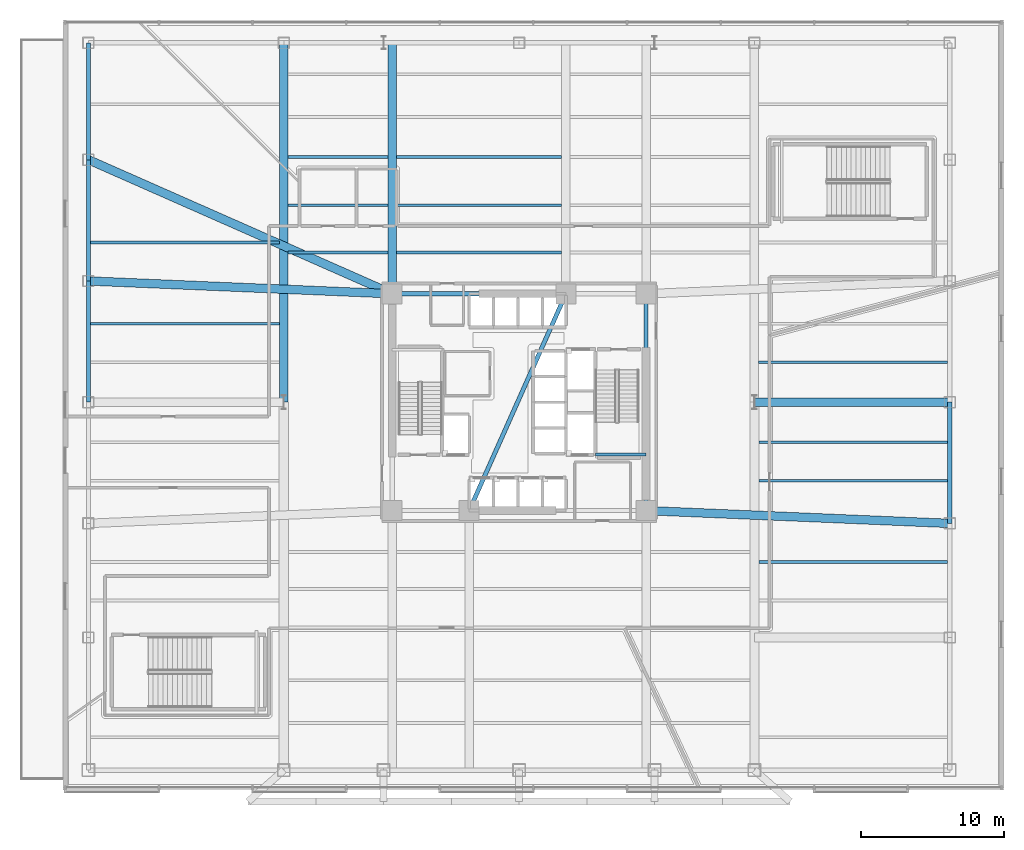
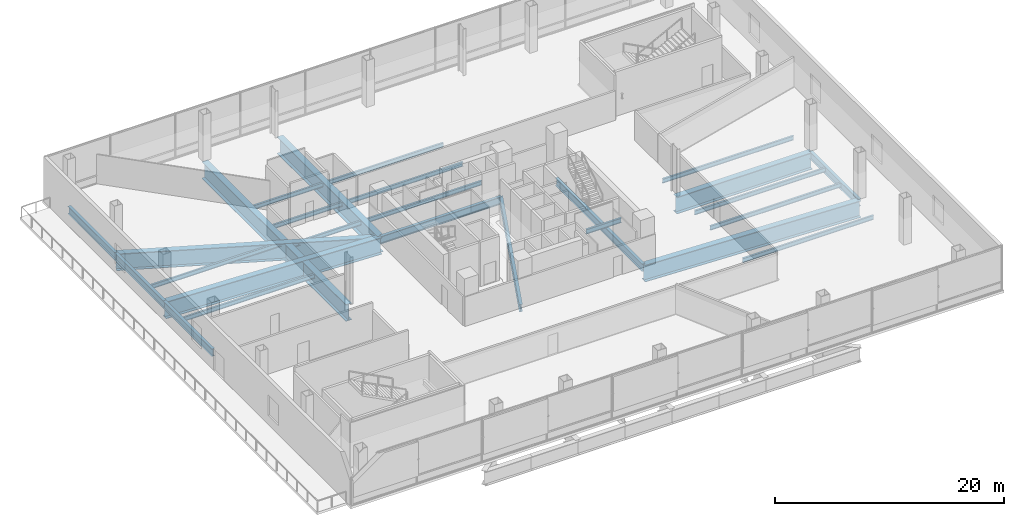
# One storey, part 4 of 20: 26 beams.
"""IFC4 building model written with IfcOpenShell, lengths in metres."""

import ifcopenshell
import ifcopenshell.guid

model = None  # the IFC model being written
_history = None  # IfcOwnerHistory: only IFC2X3 demands one
_inside = {}  # id of a spatial element -> (the spatial element, [elements in it])
_under = {}  # id of a project, library or spatial element -> (it, [spatial elements below it])
_declared = {}  # id of a project -> (the project, [libraries it declares])
_typed = {}  # id of a type object -> (the type object, [elements of that type])
_made_of = {}  # id of a material, layer set ... -> (it, [elements and type objects made of it])


def new_model(schema):
    """Start an empty IFC model of exactly this schema.

    Asked for "IFC4X3", IfcOpenShell would pick the latest addendum, in which some entities
    have other attributes; the version numbers below select the first issue.
    IFC2X3 requires an IfcOwnerHistory on every rooted entity: one is made here for all.
    """
    global model, _history
    if schema == "IFC4X3":
        model = ifcopenshell.file(schema_version=(4, 3, 0, 0))
    else:
        model = ifcopenshell.file(schema=schema)
    _inside.clear()
    _under.clear()
    _declared.clear()
    _typed.clear()
    _made_of.clear()
    _history = None
    if model.schema == "IFC2X3":
        org = make("IfcOrganization", Name="unknown")
        user = make(
            "IfcPersonAndOrganization",
            ThePerson=make("IfcPerson", FamilyName="unknown"),
            TheOrganization=org,
        )
        app = make(
            "IfcApplication",
            ApplicationDeveloper=org,
            Version="unknown",
            ApplicationFullName="unknown",
            ApplicationIdentifier="unknown",
        )
        _history = make(
            "IfcOwnerHistory",
            OwningUser=user,
            OwningApplication=app,
            ChangeAction="ADDED",
            CreationDate=0,
        )
    return model


def make(cls, **values):
    """One entity of the class cls with the attributes given. An attribute that is None is left unset."""
    return model.create_entity(
        cls, **{name: value for name, value in values.items() if value is not None}
    )


def rooted(cls, **values):
    """An entity with a GlobalId (a new one), such as an element, a storey or a relation."""
    return make(cls, GlobalId=ifcopenshell.guid.new(), OwnerHistory=_history, **values)


def si_unit(unit_type, name, prefix=None):
    """IfcSIUnit, for example si_unit("LENGTHUNIT", "METRE", prefix="MILLI")."""
    return make("IfcSIUnit", UnitType=unit_type, Prefix=prefix, Name=name)


def assignment(units):
    """IfcUnitAssignment: the units of a project."""
    return None if units is None else make("IfcUnitAssignment", Units=units)


def point(xyz):
    """IfcCartesianPoint."""
    return None if xyz is None else make("IfcCartesianPoint", Coordinates=xyz)


def direction(xyz):
    """IfcDirection."""
    return None if xyz is None else make("IfcDirection", DirectionRatios=xyz)


def frame(location, z_axis=None, x_axis=None):
    """IfcAxis2Placement3D, a coordinate frame: its origin and axes. An axis left out is left unset."""
    return make(
        "IfcAxis2Placement3D",
        Location=point(location),
        Axis=direction(z_axis),
        RefDirection=direction(x_axis),
    )


def frame_2d(location, x_axis=None):
    """IfcAxis2Placement2D, a coordinate frame in the plane: its origin and x axis."""
    return make(
        "IfcAxis2Placement2D", Location=point(location), RefDirection=direction(x_axis)
    )


def origin():
    """The frame at (0, 0, 0) with its axes left unset."""
    return frame((0.0, 0.0, 0.0))


def origin_2d():
    """The frame at (0, 0) in the plane with its x axis left unset."""
    return frame_2d((0.0, 0.0))


def place(relative_to, where):
    """IfcLocalPlacement: puts the frame where relative to a parent placement (None: the world)."""
    return make(
        "IfcLocalPlacement", PlacementRelTo=relative_to, RelativePlacement=where
    )


def context(
    kind, dimensions, precision=None, world=None, true_north=None, identifier=None
):
    """IfcGeometricRepresentationContext, for example the 3D "Model" context."""
    return make(
        "IfcGeometricRepresentationContext",
        ContextIdentifier=identifier,
        ContextType=kind,
        CoordinateSpaceDimension=dimensions,
        Precision=precision,
        WorldCoordinateSystem=world,
        TrueNorth=true_north,
    )


def subcontext(parent, identifier, kind, view, scale=None):
    """IfcGeometricRepresentationSubContext, for example "Body" below "Model"."""
    return make(
        "IfcGeometricRepresentationSubContext",
        ContextIdentifier=identifier,
        ContextType=kind,
        ParentContext=parent,
        TargetScale=scale,
        TargetView=view,
    )


def project(units=None, contexts=None):
    """IfcProject with its units and contexts."""
    return rooted(
        "IfcProject",
        Name="project",
        RepresentationContexts=contexts,
        UnitsInContext=assignment(units),
    )


def spatial(cls, under=None, at=None, **own):
    """A site, building, storey or space (cls), placed at a placement, below another one or the project."""
    s = rooted(cls, ObjectPlacement=at, **own)
    if under is not None:
        _under.setdefault(under.id(), (under, []))[1].append(s)
    return s


def profile(cls, at=None, kind="AREA", **sizes):
    """A parametric profile (cls). Its sizes go by their IFC names, for example OverallWidth=200.0."""
    return make(cls, ProfileType=kind, Position=at, **sizes)


def i_section(**sizes):
    """IfcIShapeProfileDef."""
    return profile("IfcIShapeProfileDef", **sizes)


def extrude(swept, where, along, depth):
    """IfcExtrudedAreaSolid: the profile swept, set in the frame where, extruded along a direction by depth."""
    return make(
        "IfcExtrudedAreaSolid",
        SweptArea=swept,
        Position=where,
        ExtrudedDirection=direction(along),
        Depth=depth,
    )


def shape(context_of_items, identifier, shape_type, items):
    """IfcShapeRepresentation: the items that make up one representation, for example the "Body"."""
    return make(
        "IfcShapeRepresentation",
        ContextOfItems=context_of_items,
        RepresentationIdentifier=identifier,
        RepresentationType=shape_type,
        Items=items,
    )


def material(Name=None, Category=None):
    """IfcMaterial."""
    return make("IfcMaterial", Name=Name, Category=Category)


def material_profile(
    of_material, cross_section, Name=None, Category=None, Priority=None
):
    """IfcMaterialProfile: a cross section and its material."""
    return make(
        "IfcMaterialProfile",
        Name=Name,
        Material=of_material,
        Profile=cross_section,
        Priority=Priority,
        Category=Category,
    )


def profile_set(profiles, Name=None, composite=None):
    """IfcMaterialProfileSet."""
    return make(
        "IfcMaterialProfileSet",
        Name=Name,
        MaterialProfiles=profiles,
        CompositeProfile=composite,
    )


def made_of(thing, what):
    """Note that an element or type object is made of a material, layer set ...; save() writes the relation."""
    if what is not None:
        _made_of.setdefault(what.id(), (what, []))[1].append(thing)
    return thing


def type_object(cls, material=None, **own):
    """A type object (cls), such as IfcWallType, which elements share."""
    return made_of(rooted(cls, **own), material)


def element(
    cls,
    number,
    at=None,
    inside=None,
    cuts=None,
    type_object=None,
    material=None,
    context=None,
    identifier="Body",
    shape_type=None,
    held_by="IfcProductDefinitionShape",
    body=None,
    shapes=None,
    **own,
):
    """One element of the class cls, such as IfcWall. Its Tag is "e" and its number.

    at: its placement. inside: the storey or other place that contains it. cuts: it is an
    opening in that element (IfcRelVoidsElement). A single representation is given by context,
    identifier, shape_type and body (its items); several are given by shapes. held_by: the class
    of the entity that holds the representations. save() writes the other relations.
    """
    e = rooted(cls, Tag="e%d" % number, ObjectPlacement=at, **own)
    if body is not None:
        shapes = [shape(context, identifier, shape_type, body)]
    if shapes is not None:
        e.Representation = make(held_by, Representations=shapes)
    if inside is not None:
        _inside.setdefault(inside.id(), (inside, []))[1].append(e)
    if cuts is not None:
        rooted(
            "IfcRelVoidsElement", RelatingBuildingElement=cuts, RelatedOpeningElement=e
        )
    if type_object is not None:
        _typed.setdefault(type_object.id(), (type_object, []))[1].append(e)
    return made_of(e, material)


def aggregate(whole, parts):
    """IfcRelAggregates: a whole, such as a stair, and the parts it consists of."""
    return rooted("IfcRelAggregates", RelatingObject=whole, RelatedObjects=parts)


def save(model, path):
    """Write the relations noted so far, then the file.

    IfcRelAggregates (storeys below a building ...), IfcRelContainedInSpatialStructure (elements
    in a storey), IfcRelDefinesByType, IfcRelAssociatesMaterial and IfcRelDeclares: one each for
    every whole, place, type object, material and project.
    """
    for whole, parts in _under.values():
        aggregate(whole, parts)
    for where, things in _inside.values():
        rooted(
            "IfcRelContainedInSpatialStructure",
            RelatedElements=things,
            RelatingStructure=where,
        )
    for kind, things in _typed.values():
        rooted("IfcRelDefinesByType", RelatedObjects=things, RelatingType=kind)
    for what, things in _made_of.values():
        rooted("IfcRelAssociatesMaterial", RelatedObjects=things, RelatingMaterial=what)
    for by, libraries in _declared.values():
        rooted("IfcRelDeclares", RelatingContext=by, RelatedDefinitions=libraries)
    model.write(path)


model = new_model("IFC4")

# Units and contexts
model_context = context("Model", 3, precision=1e-05, world=origin(), true_north=direction((0.0, 1.0)))
body_context = subcontext(model_context, "Body", "Model", "MODEL_VIEW")
ifc_project = project(units=[si_unit("LENGTHUNIT", "METRE"), si_unit("AREAUNIT", "SQUARE_METRE"), si_unit("VOLUMEUNIT", "CUBIC_METRE"), si_unit("PLANEANGLEUNIT", "RADIAN"), si_unit("MASSUNIT", "GRAM", prefix="KILO")], contexts=[model_context])

# Site, building, storey
site_placement = place(None, origin())
site = spatial("IfcSite", under=ifc_project, at=site_placement, CompositionType="ELEMENT")
building_placement = place(site_placement, origin())
building = spatial("IfcBuilding", under=site, at=building_placement, Name="Tharavind Bronze Gate", CompositionType="ELEMENT")
storey_placement = place(building_placement, frame((0.0, 0.0, 16.5)))
storey = spatial("IfcBuildingStorey", under=building, at=storey_placement, Name="L03", CompositionType="ELEMENT", Elevation=16.5)

# Beams
ifc_material_1 = material(Name="Steel S355", Category="steel")
ifc_material_profile_1 = material_profile(ifc_material_1, i_section(OverallWidth=0.199951171875, OverallDepth=0.5, WebThickness=0.01025390625, FlangeThickness=0.01611328125, at=origin_2d()), Name="IPE500")
ifc_profile_set_1 = profile_set([ifc_material_profile_1], Name="Steel S355")
beam_type_1 = type_object("IfcBeamType", Name="PRIMARY GIRDER IPE500", PredefinedType="USERDEFINED", material=ifc_profile_set_1)
beam_1_placement = place(storey_placement, frame((5.35009765625, -3.679931640625, 2.050048828125), z_axis=(1.0, 0.0, 0.0), x_axis=(0.0, 1.0, 0.0)))
element("IfcBeam", 1, at=beam_1_placement, inside=storey, type_object=beam_type_1, Name="L03 primary girder ipe500 BM-LD-ST2-L03-1", ObjectType="GIRDER", PredefinedType="USERDEFINED", context=body_context, shape_type="SweptSolid", body=[
    extrude(i_section(OverallWidth=0.199951171875, OverallDepth=0.5, WebThickness=0.01025390625, FlangeThickness=0.01611328125, at=origin_2d()), origin(), (0.0, 0.0, 1.0), 3.5498046875),
])
ifc_material_profile_2 = material_profile(ifc_material_1, i_section(OverallWidth=0.300048828125, OverallDepth=0.800048828125, WebThickness=0.017578125, FlangeThickness=0.032958984375, at=origin_2d()), Name="HE800B")
ifc_profile_set_2 = profile_set([ifc_material_profile_2], Name="Steel S355")
beam_type_2 = type_object("IfcBeamType", Name="RING GIRDER HE800B", PredefinedType="USERDEFINED", material=ifc_profile_set_2)
beam_2_placement = place(storey_placement, frame((8.89990234375, -7.60009765625, -0.659912109375), z_axis=(0.0, 1.0, 0.0), x_axis=(-1.0, 0.0, 0.0)))
element("IfcBeam", 2, at=beam_2_placement, inside=storey, type_object=beam_type_2, Name="L03 ring girder he800b BM-L03-CR3", ObjectType="GIRDER", PredefinedType="USERDEFINED", context=body_context, shape_type="SweptSolid", body=[
    extrude(i_section(OverallWidth=0.300048828125, OverallDepth=0.800048828125, WebThickness=0.017578125, FlangeThickness=0.032958984375, at=origin_2d()), origin(), (0.0, 0.0, 1.0), 15.2001953125),
])
beam_3_placement = place(storey_placement, frame((3.280029296875, 7.60009765625, -0.659912109375), z_axis=(-1.0, 0.0, 0.0), x_axis=(0.0, -1.0, 0.0)))
element("IfcBeam", 3, at=beam_3_placement, inside=storey, type_object=beam_type_2, Name="L03 ring girder he800b BM-L03-CR5", ObjectType="GIRDER", PredefinedType="USERDEFINED", context=body_context, shape_type="SweptSolid", body=[
    extrude(i_section(OverallWidth=0.300048828125, OverallDepth=0.800048828125, WebThickness=0.017578125, FlangeThickness=0.032958984375, at=origin_2d()), origin(), (0.0, 0.0, 1.0), 12.179931640625),
])
beam_4_placement = place(storey_placement, frame((-3.5, -7.60009765625, -0.659912109375), z_axis=(0.407361644566, 0.913266932795, 0.0), x_axis=(-0.913266932795, 0.407361644566, 0.0)))
element("IfcBeam", 4, at=beam_4_placement, inside=storey, type_object=beam_type_2, Name="L03 ring girder he800b BM-L03-CR7", ObjectType="GIRDER", PredefinedType="USERDEFINED", context=body_context, shape_type="SweptSolid", body=[
    extrude(i_section(OverallWidth=0.300048828125, OverallDepth=0.800048828125, WebThickness=0.017578125, FlangeThickness=0.032958984375, at=origin_2d()), origin(), (0.0, 0.0, 1.0), 16.643798828125),
])
for number, where, z_axis, x_axis, name in (
    (5, (30.199951171875, -8.5, -0.659912109375), (0.0, 1.0, 0.0), (-1.0, 0.0, 0.0), "L03 ring girder he800b BM-L03-PE3"),
    (6, (-30.199951171875, 0.0, -0.659912109375), (0.0, 1.0, 0.0), (-1.0, 0.0, 0.0), "L03 ring girder he800b BM-L03-PW4"),
    (7, (-30.199951171875, 8.5, -0.659912109375), (0.0, 1.0, 0.0), (-1.0, 0.0, 0.0), "L03 ring girder he800b BM-L03-PW5"),
):
    element("IfcBeam", number, at=place(storey_placement, frame(where, z_axis=z_axis, x_axis=x_axis)), inside=storey, type_object=beam_type_2, Name=name, ObjectType="GIRDER", PredefinedType="USERDEFINED", context=body_context, shape_type="SweptSolid", body=[
        extrude(i_section(OverallWidth=0.300048828125, OverallDepth=0.800048828125, WebThickness=0.017578125, FlangeThickness=0.032958984375, at=origin_2d()), origin(), (0.0, 0.0, 1.0), 8.5),
    ])
beam_5_placement = place(storey_placement, frame((-30.199951171875, 17.0, -0.659912109375), z_axis=(0.0, 1.0, 0.0), x_axis=(-1.0, 0.0, 0.0)))
element("IfcBeam", 8, at=beam_5_placement, inside=storey, type_object=beam_type_2, Name="L03 ring girder he800b BM-L03-PW6", ObjectType="GIRDER", PredefinedType="USERDEFINED", context=body_context, shape_type="SweptSolid", body=[
    extrude(i_section(OverallWidth=0.300048828125, OverallDepth=0.800048828125, WebThickness=0.017578125, FlangeThickness=0.032958984375, at=origin_2d()), origin(), (0.0, 0.0, 1.0), 8.199951171875),
])
ifc_material_profile_3 = material_profile(ifc_material_1, i_section(OverallWidth=0.18994140625, OverallDepth=0.449951171875, WebThickness=0.009521484375, FlangeThickness=0.0146484375, at=origin_2d()), Name="IPE450")
ifc_profile_set_3 = profile_set([ifc_material_profile_3], Name="Steel S355")
beam_type_3 = type_object("IfcBeamType", Name="SECONDARY FLOOR JOIST IPE450", PredefinedType="JOIST", material=ifc_profile_set_3)
beam_6_placement = place(storey_placement, frame((-8.597900390625, 10.5, -0.485107421875), z_axis=(1.0, 0.0, 0.0), x_axis=(0.0, 1.0, 0.0)))
element("IfcBeam", 9, at=beam_6_placement, inside=storey, type_object=beam_type_3, Name="L03 secondary floor joist ipe450 BM-L03-JSN1A", PredefinedType="JOIST", context=body_context, shape_type="SweptSolid", body=[
    extrude(i_section(OverallWidth=0.18994140625, OverallDepth=0.449951171875, WebThickness=0.009521484375, FlangeThickness=0.0146484375, at=origin_2d()), origin(), (0.0, 0.0, 1.0), 11.575927734375),
])
beam_7_placement = place(storey_placement, frame((-16.197998046875, 10.5, -0.485107421875), z_axis=(1.0, 0.0, 0.0), x_axis=(0.0, 1.0, 0.0)))
element("IfcBeam", 10, at=beam_7_placement, inside=storey, type_object=beam_type_3, Name="L03 secondary floor joist ipe450 BM-L03-JSN1W", PredefinedType="JOIST", context=body_context, shape_type="SweptSolid", body=[
    extrude(i_section(OverallWidth=0.18994140625, OverallDepth=0.449951171875, WebThickness=0.009521484375, FlangeThickness=0.0146484375, at=origin_2d()), origin(), (0.0, 0.0, 1.0), 6.99609375),
])
beam_8_placement = place(storey_placement, frame((-8.597900390625, 13.800048828125, -0.485107421875), z_axis=(1.0, 0.0, 0.0), x_axis=(0.0, 1.0, 0.0)))
element("IfcBeam", 11, at=beam_8_placement, inside=storey, type_object=beam_type_3, Name="L03 secondary floor joist ipe450 BM-L03-JSN2A", PredefinedType="JOIST", context=body_context, shape_type="SweptSolid", body=[
    extrude(i_section(OverallWidth=0.18994140625, OverallDepth=0.449951171875, WebThickness=0.009521484375, FlangeThickness=0.0146484375, at=origin_2d()), origin(), (0.0, 0.0, 1.0), 11.575927734375),
])
beam_9_placement = place(storey_placement, frame((-16.197998046875, 13.800048828125, -0.485107421875), z_axis=(1.0, 0.0, 0.0), x_axis=(0.0, 1.0, 0.0)))
element("IfcBeam", 12, at=beam_9_placement, inside=storey, type_object=beam_type_3, Name="L03 secondary floor joist ipe450 BM-L03-JSN2W", PredefinedType="JOIST", context=body_context, shape_type="SweptSolid", body=[
    extrude(i_section(OverallWidth=0.18994140625, OverallDepth=0.449951171875, WebThickness=0.009521484375, FlangeThickness=0.0146484375, at=origin_2d()), origin(), (0.0, 0.0, 1.0), 6.99609375),
])
beam_10_placement = place(storey_placement, frame((-8.597900390625, 17.199951171875, -0.485107421875), z_axis=(1.0, 0.0, 0.0), x_axis=(0.0, 1.0, 0.0)))
element("IfcBeam", 13, at=beam_10_placement, inside=storey, type_object=beam_type_3, Name="L03 secondary floor joist ipe450 BM-L03-JSN3A", PredefinedType="JOIST", context=body_context, shape_type="SweptSolid", body=[
    extrude(i_section(OverallWidth=0.18994140625, OverallDepth=0.449951171875, WebThickness=0.009521484375, FlangeThickness=0.0146484375, at=origin_2d()), origin(), (0.0, 0.0, 1.0), 11.575927734375),
])
beam_11_placement = place(storey_placement, frame((-16.197998046875, 17.199951171875, -0.485107421875), z_axis=(1.0, 0.0, 0.0), x_axis=(0.0, 1.0, 0.0)))
element("IfcBeam", 14, at=beam_11_placement, inside=storey, type_object=beam_type_3, Name="L03 secondary floor joist ipe450 BM-L03-JSN3W", PredefinedType="JOIST", context=body_context, shape_type="SweptSolid", body=[
    extrude(i_section(OverallWidth=0.18994140625, OverallDepth=0.449951171875, WebThickness=0.009521484375, FlangeThickness=0.0146484375, at=origin_2d()), origin(), (0.0, 0.0, 1.0), 6.99609375),
])
for number, where, z_axis, x_axis, name in (
    (15, (16.826904296875, -11.199951171875, -0.485107421875), (1.0, 0.0, 0.0), (0.0, 1.0, 0.0), "L03 secondary floor joist ipe450 BM-L03-JSEE3"),
    (16, (16.826904296875, -5.5, -0.485107421875), (1.0, 0.0, 0.0), (0.0, 1.0, 0.0), "L03 secondary floor joist ipe450 BM-L03-JSEE4"),
    (17, (16.826904296875, -2.800048828125, -0.485107421875), (1.0, 0.0, 0.0), (0.0, 1.0, 0.0), "L03 secondary floor joist ipe450 BM-L03-JSEE5"),
):
    element("IfcBeam", number, at=place(storey_placement, frame(where, z_axis=z_axis, x_axis=x_axis)), inside=storey, type_object=beam_type_3, Name=name, PredefinedType="JOIST", context=body_context, shape_type="SweptSolid", body=[
        extrude(i_section(OverallWidth=0.18994140625, OverallDepth=0.449951171875, WebThickness=0.009521484375, FlangeThickness=0.0146484375, at=origin_2d()), origin(), (0.0, 0.0, 1.0), 13.213134765625),
    ])
for number, where, z_axis, x_axis, name in (
    (18, (16.802001953125, 2.800048828125, -0.485107421875), (1.0, 0.0, 0.0), (0.0, 1.0, 0.0), "L03 secondary floor joist ipe450 BM-L03-JSEE6"),
    (19, (-30.0400390625, 5.5, -0.485107421875), (1.0, 0.0, 0.0), (0.0, 1.0, 0.0), "L03 secondary floor joist ipe450 BM-L03-JSWW7"),
    (20, (-30.0400390625, 11.199951171875, -0.485107421875), (1.0, 0.0, 0.0), (0.0, 1.0, 0.0), "L03 secondary floor joist ipe450 BM-L03-JSWW8"),
):
    element("IfcBeam", number, at=place(storey_placement, frame(where, z_axis=z_axis, x_axis=x_axis)), inside=storey, type_object=beam_type_3, Name=name, PredefinedType="JOIST", context=body_context, shape_type="SweptSolid", body=[
        extrude(i_section(OverallWidth=0.18994140625, OverallDepth=0.449951171875, WebThickness=0.009521484375, FlangeThickness=0.0146484375, at=origin_2d()), origin(), (0.0, 0.0, 1.0), 13.238037109375),
    ])
ifc_material_2 = material(Name="Steel S460", Category="steel")
ifc_material_profile_4 = material_profile(ifc_material_2, i_section(OverallWidth=0.60009765625, OverallDepth=1.800048828125, WebThickness=0.031982421875, FlangeThickness=0.054931640625, at=origin_2d()), Name="PG1800X600")
ifc_profile_set_4 = profile_set([ifc_material_profile_4], Name="Steel S460")
beam_type_4 = type_object("IfcBeamType", Name="TRANSFER GIRDER 1800X600", PredefinedType="USERDEFINED", material=ifc_profile_set_4)
beam_12_placement = place(storey_placement, frame((-16.5, 0.0, -1.159912109375), z_axis=(0.0, 1.0, 0.0), x_axis=(-1.0, 0.0, 0.0)))
element("IfcBeam", 21, at=beam_12_placement, inside=storey, type_object=beam_type_4, Name="L03 transfer girder 1800x600 BM-L03-GS1N", ObjectType="TRANSFER GIRDER", PredefinedType="USERDEFINED", context=body_context, shape_type="SweptSolid", body=[
    extrude(i_section(OverallWidth=0.60009765625, OverallDepth=1.800048828125, WebThickness=0.031982421875, FlangeThickness=0.054931640625, at=origin_2d()), origin(), (0.0, 0.0, 1.0), 25.199951171875),
])
beam_13_placement = place(storey_placement, frame((-8.89990234375, 25.199951171875, -1.159912109375), z_axis=(0.0, -1.0, 0.0), x_axis=(1.0, 0.0, 0.0)))
element("IfcBeam", 22, at=beam_13_placement, inside=storey, type_object=beam_type_4, Name="L03 transfer girder 1800x600 BM-L03-GN2", ObjectType="TRANSFER GIRDER", PredefinedType="USERDEFINED", context=body_context, shape_type="SweptSolid", body=[
    extrude(i_section(OverallWidth=0.60009765625, OverallDepth=1.800048828125, WebThickness=0.031982421875, FlangeThickness=0.054931640625, at=origin_2d()), origin(), (0.0, 0.0, 1.0), 17.599853515625),
])
beam_14_placement = place(storey_placement, frame((-30.199951171875, 8.5, -1.159912109375), z_axis=(0.999108710794, -0.04221118354, 0.0), x_axis=(0.04221118354, 0.999108710794, 0.0)))
element("IfcBeam", 23, at=beam_14_placement, inside=storey, type_object=beam_type_4, Name="L03 transfer girder 1800x600 BM-L03-GW2", ObjectType="TRANSFER GIRDER", PredefinedType="USERDEFINED", context=body_context, shape_type="SweptSolid", body=[
    extrude(i_section(OverallWidth=0.60009765625, OverallDepth=1.800048828125, WebThickness=0.031982421875, FlangeThickness=0.054931640625, at=origin_2d()), origin(), (0.0, 0.0, 1.0), 21.319091796875),
])
beam_15_placement = place(storey_placement, frame((-30.199951171875, 17.0, -1.159912109375), z_axis=(0.914873033852, -0.403741664844, 0.0), x_axis=(0.403741664844, 0.914873033852, 0.0)))
element("IfcBeam", 24, at=beam_15_placement, inside=storey, type_object=beam_type_4, Name="L03 transfer girder 1800x600 BM-L03-GW4", ObjectType="TRANSFER GIRDER", PredefinedType="USERDEFINED", context=body_context, shape_type="SweptSolid", body=[
    extrude(i_section(OverallWidth=0.60009765625, OverallDepth=1.800048828125, WebThickness=0.031982421875, FlangeThickness=0.054931640625, at=origin_2d()), origin(), (0.0, 0.0, 1.0), 23.281982421875),
])
beam_16_placement = place(storey_placement, frame((30.199951171875, -8.5, -1.159912109375), z_axis=(-0.999108710794, 0.04221118354, 0.0), x_axis=(-0.04221118354, -0.999108710794, 0.0)))
element("IfcBeam", 25, at=beam_16_placement, inside=storey, type_object=beam_type_4, Name="L03 transfer girder 1800x600 BM-L03-GE1", ObjectType="TRANSFER GIRDER", PredefinedType="USERDEFINED", context=body_context, shape_type="SweptSolid", body=[
    extrude(i_section(OverallWidth=0.60009765625, OverallDepth=1.800048828125, WebThickness=0.031982421875, FlangeThickness=0.054931640625, at=origin_2d()), origin(), (0.0, 0.0, 1.0), 21.319091796875),
])
beam_17_placement = place(storey_placement, frame((30.199951171875, 0.0, -1.159912109375), z_axis=(-1.0, 0.0, 0.0), x_axis=(0.0, -1.0, 0.0)))
element("IfcBeam", 26, at=beam_17_placement, inside=storey, type_object=beam_type_4, Name="L03 transfer girder 1800x600 BM-L03-GE3", ObjectType="TRANSFER GIRDER", PredefinedType="USERDEFINED", context=body_context, shape_type="SweptSolid", body=[
    extrude(i_section(OverallWidth=0.60009765625, OverallDepth=1.800048828125, WebThickness=0.031982421875, FlangeThickness=0.054931640625, at=origin_2d()), origin(), (0.0, 0.0, 1.0), 13.699951171875),
])

save(model, "model.ifc")
